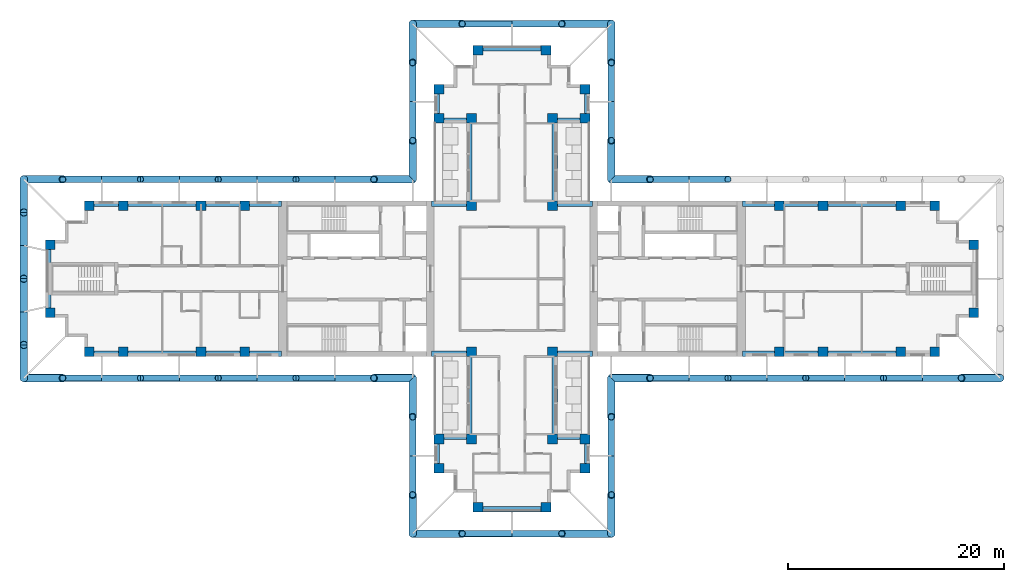
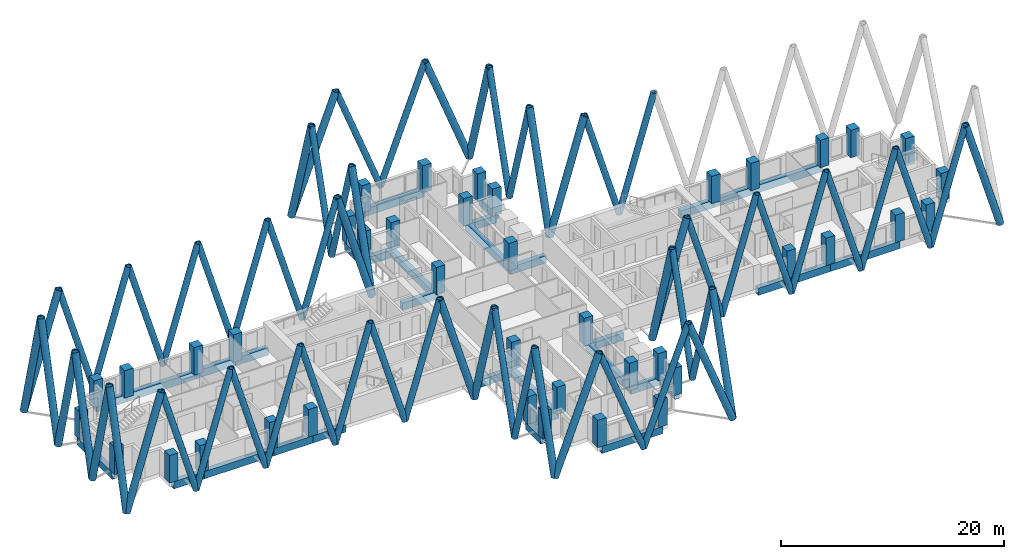
# One storey, part 1 of 12: 63 members, 40 columns, 33 beams.
"""IFC4 building model written with IfcOpenShell, lengths in metres."""

from ifc_helpers import new_model, si_unit, direction, frame, origin, origin_2d, place, context, subcontext, project, spatial, rectangle, hollow_circle, extrude, material, material_profile, profile_set, type_object, element, save


model = new_model("IFC4")

# Units and contexts
model_context = context("Model", 3, precision=1e-05, world=origin(), true_north=direction((0.0, 1.0)))
body_context = subcontext(model_context, "Body", "Model", "MODEL_VIEW")
ifc_project = project(units=[si_unit("LENGTHUNIT", "METRE"), si_unit("AREAUNIT", "SQUARE_METRE"), si_unit("VOLUMEUNIT", "CUBIC_METRE"), si_unit("PLANEANGLEUNIT", "RADIAN"), si_unit("MASSUNIT", "GRAM", prefix="KILO")], contexts=[model_context])

# Site, building, storey
site_placement = place(None, origin())
site = spatial("IfcSite", under=ifc_project, at=site_placement, CompositionType="ELEMENT")
building_placement = place(site_placement, origin())
building = spatial("IfcBuilding", under=site, at=building_placement, Name="Fustian Cross Tower", CompositionType="ELEMENT")
storey_placement = place(building_placement, frame((0.0, 0.0, 129.300048828125)))
storey = spatial("IfcBuildingStorey", under=building, at=storey_placement, Name="L40", CompositionType="ELEMENT", Elevation=129.300048828125)

# Columns
ifc_material_1 = material(Name="Concrete C50/60", Category="concrete")
ifc_material_profile_1 = material_profile(ifc_material_1, rectangle(XDim=0.89990234375, YDim=0.89990234375, at=origin_2d()), Name="RC 900x900")
ifc_profile_set_1 = profile_set([ifc_material_profile_1], Name="Concrete C50/60")
column_type = type_object("IfcColumnType", Name="COLUMN RC 900x900 C50/60", PredefinedType="COLUMN", material=ifc_profile_set_1)
for number, where, z_axis, x_axis, name in (
    (1, (-42.75, -3.14990234375, 0.0), (0.0, 0.0, 1.0), (1.0, 0.0, 0.0), "COLUMN 001"),
    (2, (-42.75, 3.14990234375, 0.0), (0.0, 0.0, 1.0), (1.0, 0.0, 0.0), "COLUMN 002"),
    (3, (-39.14990234375, -6.75, 0.0), (0.0, 0.0, 1.0), (1.0, 0.0, 0.0), "COLUMN 003"),
    (4, (-39.14990234375, 6.75, 0.0), (0.0, 0.0, 1.0), (1.0, 0.0, 0.0), "COLUMN 004"),
    (5, (-36.0, -6.75, 0.0), (0.0, 0.0, 1.0), (1.0, 0.0, 0.0), "COLUMN 005"),
    (6, (-36.0, 6.75, 0.0), (0.0, 0.0, 1.0), (1.0, 0.0, 0.0), "COLUMN 006"),
    (7, (-28.800048828125, -6.75, 0.0), (0.0, 0.0, 1.0), (1.0, 0.0, 0.0), "COLUMN 007"),
    (8, (-28.800048828125, 6.75, 0.0), (0.0, 0.0, 1.0), (1.0, 0.0, 0.0), "COLUMN 010"),
    (9, (-24.75, -6.75, 0.0), (0.0, 0.0, 1.0), (1.0, 0.0, 0.0), "COLUMN 011"),
    (10, (-24.75, 6.75, 0.0), (0.0, 0.0, 1.0), (1.0, 0.0, 0.0), "COLUMN 012"),
    (11, (-6.75, -17.550048828125, 0.0), (0.0, 0.0, 1.0), (1.0, 0.0, 0.0), "COLUMN 017"),
    (12, (-6.75, -14.85009765625, 0.0), (0.0, 0.0, 1.0), (1.0, 0.0, 0.0), "COLUMN 018"),
    (13, (-6.75, 14.85009765625, 0.0), (0.0, 0.0, 1.0), (1.0, 0.0, 0.0), "COLUMN 019"),
    (14, (-6.75, 17.550048828125, 0.0), (0.0, 0.0, 1.0), (1.0, 0.0, 0.0), "COLUMN 020"),
    (15, (-3.75, -14.85009765625, 0.0), (0.0, 0.0, 1.0), (1.0, 0.0, 0.0), "COLUMN 025"),
    (16, (-3.75, -6.75, 0.0), (0.0, 0.0, 1.0), (1.0, 0.0, 0.0), "COLUMN 026"),
    (17, (-3.75, 6.75, 0.0), (0.0, 0.0, 1.0), (1.0, 0.0, 0.0), "COLUMN 027"),
    (18, (-3.75, 14.85009765625, 0.0), (0.0, 0.0, 1.0), (1.0, 0.0, 0.0), "COLUMN 028"),
    (19, (-3.14990234375, -21.14990234375, 0.0), (0.0, 0.0, 1.0), (1.0, 0.0, 0.0), "COLUMN 030"),
    (20, (-3.14990234375, 21.14990234375, 0.0), (0.0, 0.0, 1.0), (1.0, 0.0, 0.0), "COLUMN 031"),
    (21, (3.14990234375, -21.14990234375, 0.0), (0.0, 0.0, 1.0), (1.0, 0.0, 0.0), "COLUMN 034"),
    (22, (3.14990234375, 21.14990234375, 0.0), (0.0, 0.0, 1.0), (1.0, 0.0, 0.0), "COLUMN 035"),
    (23, (3.75, -14.85009765625, 0.0), (0.0, 0.0, 1.0), (1.0, 0.0, 0.0), "COLUMN 037"),
    (24, (3.75, -6.75, 0.0), (0.0, 0.0, 1.0), (1.0, 0.0, 0.0), "COLUMN 038"),
    (25, (3.75, 6.75, 0.0), (0.0, 0.0, 1.0), (1.0, 0.0, 0.0), "COLUMN 039"),
    (26, (3.75, 14.85009765625, 0.0), (0.0, 0.0, 1.0), (1.0, 0.0, 0.0), "COLUMN 040"),
    (27, (6.75, -17.550048828125, 0.0), (0.0, 0.0, 1.0), (1.0, 0.0, 0.0), "COLUMN 045"),
    (28, (6.75, -14.85009765625, 0.0), (0.0, 0.0, 1.0), (1.0, 0.0, 0.0), "COLUMN 046"),
    (29, (6.75, 14.85009765625, 0.0), (0.0, 0.0, 1.0), (1.0, 0.0, 0.0), "COLUMN 047"),
    (30, (6.75, 17.550048828125, 0.0), (0.0, 0.0, 1.0), (1.0, 0.0, 0.0), "COLUMN 048"),
    (31, (24.75, -6.75, 0.0), (0.0, 0.0, 1.0), (1.0, 0.0, 0.0), "COLUMN 053"),
    (32, (24.75, 6.75, 0.0), (0.0, 0.0, 1.0), (1.0, 0.0, 0.0), "COLUMN 054"),
    (33, (28.800048828125, -6.75, 0.0), (0.0, 0.0, 1.0), (1.0, 0.0, 0.0), "COLUMN 055"),
    (34, (28.800048828125, 6.75, 0.0), (0.0, 0.0, 1.0), (1.0, 0.0, 0.0), "COLUMN 058"),
    (35, (36.0, -6.75, 0.0), (0.0, 0.0, 1.0), (1.0, 0.0, 0.0), "COLUMN 059"),
    (36, (36.0, 6.75, 0.0), (0.0, 0.0, 1.0), (1.0, 0.0, 0.0), "COLUMN 060"),
    (37, (39.14990234375, -6.75, 0.0), (0.0, 0.0, 1.0), (1.0, 0.0, 0.0), "COLUMN 061"),
    (38, (39.14990234375, 6.75, 0.0), (0.0, 0.0, 1.0), (1.0, 0.0, 0.0), "COLUMN 062"),
    (39, (42.75, -3.14990234375, 0.0), (0.0, 0.0, 1.0), (1.0, 0.0, 0.0), "COLUMN 063"),
    (40, (42.75, 3.14990234375, 0.0), (0.0, 0.0, 1.0), (1.0, 0.0, 0.0), "COLUMN 064"),
):
    element("IfcColumn", number, at=place(storey_placement, frame(where, z_axis=z_axis, x_axis=x_axis)), inside=storey, type_object=column_type, Name=name, PredefinedType="COLUMN", context=body_context, shape_type="SweptSolid", body=[
        extrude(rectangle(XDim=0.89990234375, YDim=0.89990234375, at=origin_2d()), origin(), (0.0, 0.0, 1.0), 3.0),
    ])

# Members
ifc_material_2 = material(Name="Steel S355", Category="steel")
ifc_material_profile_2 = material_profile(ifc_material_2, hollow_circle(Radius=0.3046875, WallThickness=0.02490234375, at=origin_2d()), Name="CHS 610x25")
ifc_profile_set_2 = profile_set([ifc_material_profile_2], Name="Steel S355")
member_type_1 = type_object("IfcMemberType", Name="DIAGRID DIAGONAL CHS 610x25", PredefinedType="BRACE", material=ifc_profile_set_2)
for number, where, z_axis, x_axis, name in (
    (41, (16.39990234375, -9.199951171875, 0.0), (-0.287337158709, 0.0, 0.957829503213), (0.0, -1.0, 0.0), "Diagrid diagonal E-S 02"),
    (42, (16.39990234375, -9.199951171875, 0.0), (0.287355036744, 0.0, 0.957824139839), (0.0, 1.0, 0.0), "Diagrid diagonal E-S 03"),
    (43, (23.60009765625, -9.199951171875, 0.0), (-0.287355036744, 0.0, 0.957824139839), (0.0, -1.0, 0.0), "Diagrid diagonal E-S 04"),
    (44, (23.60009765625, -9.199951171875, 0.0), (0.287337158709, 0.0, 0.957829503213), (0.0, 1.0, 0.0), "Diagrid diagonal E-S 05"),
    (45, (30.800048828125, -9.199951171875, 0.0), (-0.287355036744, 0.0, 0.957824139839), (0.0, -1.0, 0.0), "Diagrid diagonal E-S 06"),
    (46, (30.800048828125, -9.199951171875, 0.0), (0.287337158709, 0.0, 0.957829503213), (0.0, 1.0, 0.0), "Diagrid diagonal E-S 07"),
    (47, (38.0, -9.199951171875, 0.0), (-0.287355036744, 0.0, 0.957824139839), (0.0, -1.0, 0.0), "Diagrid diagonal E-S 08"),
    (48, (38.0, -9.199951171875, 0.0), (0.287355036744, 0.0, 0.957824139839), (0.0, 1.0, 0.0), "Diagrid diagonal E-S 09"),
    (49, (16.39990234375, 9.199951171875, 0.0), (0.287355036744, 0.0, 0.957824139839), (0.0, 1.0, 0.0), "Diagrid diagonal E-N 08"),
    (50, (16.39990234375, 9.199951171875, 0.0), (-0.287337158709, 0.0, 0.957829503213), (0.0, -1.0, 0.0), "Diagrid diagonal E-N 09"),
    (51, (9.199951171875, 16.39990234375, 0.0), (0.0, -0.287337158709, 0.957829503213), (1.0, 0.0, 0.0), "Diagrid diagonal N-E 02"),
    (52, (9.199951171875, 16.39990234375, 0.0), (0.0, 0.287355036744, 0.957824139839), (-1.0, 0.0, 0.0), "Diagrid diagonal N-E 03"),
):
    element("IfcMember", number, at=place(storey_placement, frame(where, z_axis=z_axis, x_axis=x_axis)), inside=storey, type_object=member_type_1, Name=name, PredefinedType="BRACE", context=body_context, shape_type="SweptSolid", body=[
        extrude(hollow_circle(Radius=0.3046875, WallThickness=0.02490234375, at=origin_2d()), origin(), (0.0, 0.0, 1.0), 12.5283203125),
    ])
for number, where, z_axis, x_axis, name in (
    (53, (0.0, 23.60009765625, 0.0), (0.3579426369, 0.0, 0.933743577589), (0.0, 1.0, 0.0), "Diagrid diagonal N-end 02"),
    (54, (0.0, 23.60009765625, 0.0), (-0.3579426369, 0.0, 0.933743577589), (0.0, -1.0, 0.0), "Diagrid diagonal N-end 03"),
):
    element("IfcMember", number, at=place(storey_placement, frame(where, z_axis=z_axis, x_axis=x_axis)), inside=storey, type_object=member_type_1, Name=name, PredefinedType="BRACE", context=body_context, shape_type="SweptSolid", body=[
        extrude(hollow_circle(Radius=0.3046875, WallThickness=0.02490234375, at=origin_2d()), origin(), (0.0, 0.0, 1.0), 12.8515625),
    ])
for number, where, z_axis, x_axis, name in (
    (55, (-9.199951171875, 16.39990234375, 0.0), (0.0, 0.287355036744, 0.957824139839), (-1.0, 0.0, 0.0), "Diagrid diagonal N-W 02"),
    (56, (-9.199951171875, 16.39990234375, 0.0), (0.0, -0.287337158709, 0.957829503213), (1.0, 0.0, 0.0), "Diagrid diagonal N-W 03"),
    (57, (-16.39990234375, 9.199951171875, 0.0), (0.287337158709, 0.0, 0.957829503213), (0.0, 1.0, 0.0), "Diagrid diagonal W-N 02"),
    (58, (-16.39990234375, 9.199951171875, 0.0), (-0.287355036744, 0.0, 0.957824139839), (0.0, -1.0, 0.0), "Diagrid diagonal W-N 03"),
    (59, (-23.60009765625, 9.199951171875, 0.0), (0.287355036744, 0.0, 0.957824139839), (0.0, 1.0, 0.0), "Diagrid diagonal W-N 04"),
    (60, (-23.60009765625, 9.199951171875, 0.0), (-0.287337158709, 0.0, 0.957829503213), (0.0, -1.0, 0.0), "Diagrid diagonal W-N 05"),
    (61, (-30.800048828125, 9.199951171875, 0.0), (0.287355036744, 0.0, 0.957824139839), (0.0, 1.0, 0.0), "Diagrid diagonal W-N 06"),
    (62, (-30.800048828125, 9.199951171875, 0.0), (-0.287337158709, 0.0, 0.957829503213), (0.0, -1.0, 0.0), "Diagrid diagonal W-N 07"),
    (63, (-38.0, 9.199951171875, 0.0), (0.287355036744, 0.0, 0.957824139839), (0.0, 1.0, 0.0), "Diagrid diagonal W-N 08"),
    (64, (-38.0, 9.199951171875, 0.0), (-0.287355036744, 0.0, 0.957824139839), (0.0, -1.0, 0.0), "Diagrid diagonal W-N 09"),
    (65, (-38.0, -9.199951171875, 0.0), (-0.287355036744, 0.0, 0.957824139839), (0.0, -1.0, 0.0), "Diagrid diagonal W-S 02"),
    (66, (-38.0, -9.199951171875, 0.0), (0.287355036744, 0.0, 0.957824139839), (0.0, 1.0, 0.0), "Diagrid diagonal W-S 03"),
    (67, (-30.800048828125, -9.199951171875, 0.0), (-0.287337158709, 0.0, 0.957829503213), (0.0, -1.0, 0.0), "Diagrid diagonal W-S 04"),
    (68, (-30.800048828125, -9.199951171875, 0.0), (0.287355036744, 0.0, 0.957824139839), (0.0, 1.0, 0.0), "Diagrid diagonal W-S 05"),
    (69, (-23.60009765625, -9.199951171875, 0.0), (-0.287337158709, 0.0, 0.957829503213), (0.0, -1.0, 0.0), "Diagrid diagonal W-S 06"),
    (70, (-23.60009765625, -9.199951171875, 0.0), (0.287355036744, 0.0, 0.957824139839), (0.0, 1.0, 0.0), "Diagrid diagonal W-S 07"),
    (71, (-16.39990234375, -9.199951171875, 0.0), (-0.287355036744, 0.0, 0.957824139839), (0.0, -1.0, 0.0), "Diagrid diagonal W-S 08"),
    (72, (-16.39990234375, -9.199951171875, 0.0), (0.287337158709, 0.0, 0.957829503213), (0.0, 1.0, 0.0), "Diagrid diagonal W-S 09"),
    (73, (-9.199951171875, -16.39990234375, 0.0), (0.0, 0.287337158709, 0.957829503213), (-1.0, 0.0, 0.0), "Diagrid diagonal S-W 02"),
    (74, (-9.199951171875, -16.39990234375, 0.0), (0.0, -0.287355036744, 0.957824139839), (1.0, 0.0, 0.0), "Diagrid diagonal S-W 03"),
):
    element("IfcMember", number, at=place(storey_placement, frame(where, z_axis=z_axis, x_axis=x_axis)), inside=storey, type_object=member_type_1, Name=name, PredefinedType="BRACE", context=body_context, shape_type="SweptSolid", body=[
        extrude(hollow_circle(Radius=0.3046875, WallThickness=0.02490234375, at=origin_2d()), origin(), (0.0, 0.0, 1.0), 12.5283203125),
    ])
for number, where, z_axis, x_axis, name in (
    (75, (0.0, -23.60009765625, 0.0), (-0.3579426369, 0.0, 0.933743577589), (0.0, -1.0, 0.0), "Diagrid diagonal S-end 02"),
    (76, (0.0, -23.60009765625, 0.0), (0.3579426369, 0.0, 0.933743577589), (0.0, 1.0, 0.0), "Diagrid diagonal S-end 03"),
):
    element("IfcMember", number, at=place(storey_placement, frame(where, z_axis=z_axis, x_axis=x_axis)), inside=storey, type_object=member_type_1, Name=name, PredefinedType="BRACE", context=body_context, shape_type="SweptSolid", body=[
        extrude(hollow_circle(Radius=0.3046875, WallThickness=0.02490234375, at=origin_2d()), origin(), (0.0, 0.0, 1.0), 12.8515625),
    ])
for number, where, z_axis, x_axis, name in (
    (77, (9.199951171875, -16.39990234375, 0.0), (0.0, -0.287355036744, 0.957824139839), (1.0, 0.0, 0.0), "Diagrid diagonal S-E 02"),
    (78, (9.199951171875, -16.39990234375, 0.0), (0.0, 0.287337158709, 0.957829503213), (-1.0, 0.0, 0.0), "Diagrid diagonal S-E 03"),
):
    element("IfcMember", number, at=place(storey_placement, frame(where, z_axis=z_axis, x_axis=x_axis)), inside=storey, type_object=member_type_1, Name=name, PredefinedType="BRACE", context=body_context, shape_type="SweptSolid", body=[
        extrude(hollow_circle(Radius=0.3046875, WallThickness=0.02490234375, at=origin_2d()), origin(), (0.0, 0.0, 1.0), 12.5283203125),
    ])
ifc_material_3 = material(Name="Steel S355", Category="steel")
ifc_material_profile_3 = material_profile(ifc_material_3, hollow_circle(Radius=0.355712890625, WallThickness=0.031982421875, at=origin_2d()), Name="CHS 711x32")
ifc_profile_set_3 = profile_set([ifc_material_profile_3], Name="Steel S355")
member_type_2 = type_object("IfcMemberType", Name="DIAGRID DIAGONAL CHS 711x32", PredefinedType="BRACE", material=ifc_profile_set_3)
for number, where, z_axis, x_axis, name in (
    (79, (9.199951171875, -9.199951171875, 0.0), (0.287355036744, 0.0, 0.957824139839), (0.0, 1.0, 0.0), "Diagrid diagonal E-S 01"),
    (80, (45.199951171875, -9.199951171875, 0.0), (-0.287337158709, 0.0, 0.957829503213), (0.0, -1.0, 0.0), "Diagrid diagonal E-S 10"),
    (81, (9.199951171875, 9.199951171875, 0.0), (0.287355036744, 0.0, 0.957824139839), (0.0, 1.0, 0.0), "Diagrid diagonal E-N 10"),
    (82, (9.199951171875, 9.199951171875, 0.0), (0.0, 0.287355036744, 0.957824139839), (-1.0, 0.0, 0.0), "Diagrid diagonal N-E 01"),
    (83, (9.199951171875, 23.60009765625, 0.0), (0.0, -0.287355036744, 0.957824139839), (1.0, 0.0, 0.0), "Diagrid diagonal N-E 04"),
):
    element("IfcMember", number, at=place(storey_placement, frame(where, z_axis=z_axis, x_axis=x_axis)), inside=storey, type_object=member_type_2, Name=name, PredefinedType="BRACE", context=body_context, shape_type="SweptSolid", body=[
        extrude(hollow_circle(Radius=0.355712890625, WallThickness=0.031982421875, at=origin_2d()), origin(), (0.0, 0.0, 1.0), 12.5283203125),
    ])
for number, where, z_axis, x_axis, name in (
    (84, (9.199951171875, 23.60009765625, 0.0), (-0.357926073629, 0.0, 0.933749926809), (0.0, -1.0, 0.0), "Diagrid diagonal N-end 01"),
    (85, (-9.199951171875, 23.60009765625, 0.0), (0.357926073629, 0.0, 0.933749926809), (0.0, 1.0, 0.0), "Diagrid diagonal N-end 04"),
):
    element("IfcMember", number, at=place(storey_placement, frame(where, z_axis=z_axis, x_axis=x_axis)), inside=storey, type_object=member_type_2, Name=name, PredefinedType="BRACE", context=body_context, shape_type="SweptSolid", body=[
        extrude(hollow_circle(Radius=0.355712890625, WallThickness=0.031982421875, at=origin_2d()), origin(), (0.0, 0.0, 1.0), 12.851318359375),
    ])
for number, where, z_axis, x_axis, name in (
    (86, (-9.199951171875, 23.60009765625, 0.0), (0.0, -0.287355036744, 0.957824139839), (1.0, 0.0, 0.0), "Diagrid diagonal N-W 01"),
    (87, (-9.199951171875, 9.199951171875, 0.0), (0.0, 0.287355036744, 0.957824139839), (-1.0, 0.0, 0.0), "Diagrid diagonal N-W 04"),
    (88, (-9.199951171875, 9.199951171875, 0.0), (-0.287355036744, 0.0, 0.957824139839), (0.0, -1.0, 0.0), "Diagrid diagonal W-N 01"),
    (89, (-45.199951171875, 9.199951171875, 0.0), (0.287337158709, 0.0, 0.957829503213), (0.0, 1.0, 0.0), "Diagrid diagonal W-N 10"),
):
    element("IfcMember", number, at=place(storey_placement, frame(where, z_axis=z_axis, x_axis=x_axis)), inside=storey, type_object=member_type_2, Name=name, PredefinedType="BRACE", context=body_context, shape_type="SweptSolid", body=[
        extrude(hollow_circle(Radius=0.355712890625, WallThickness=0.031982421875, at=origin_2d()), origin(), (0.0, 0.0, 1.0), 12.5283203125),
    ])
for number, where, z_axis, x_axis, name in (
    (90, (-45.199951171875, 9.199951171875, 0.0), (0.0, -0.247597033967, 0.96886310115), (1.0, 0.0, 0.0), "Diagrid diagonal W-end 01"),
    (91, (-45.199951171875, 3.066650390625, 0.0), (0.0, 0.247597033967, 0.96886310115), (-1.0, 0.0, 0.0), "Diagrid diagonal W-end 02"),
    (92, (-45.199951171875, 3.066650390625, 0.0), (0.0, -0.247597033967, 0.96886310115), (1.0, 0.0, 0.0), "Diagrid diagonal W-end 03"),
    (93, (-45.199951171875, -3.066650390625, 0.0), (0.0, 0.247597033967, 0.96886310115), (-1.0, 0.0, 0.0), "Diagrid diagonal W-end 04"),
    (94, (-45.199951171875, -3.066650390625, 0.0), (0.0, -0.247597033967, 0.96886310115), (1.0, 0.0, 0.0), "Diagrid diagonal W-end 05"),
    (95, (-45.199951171875, -9.199951171875, 0.0), (0.0, 0.247597033967, 0.96886310115), (-1.0, 0.0, 0.0), "Diagrid diagonal W-end 06"),
):
    element("IfcMember", number, at=place(storey_placement, frame(where, z_axis=z_axis, x_axis=x_axis)), inside=storey, type_object=member_type_2, Name=name, PredefinedType="BRACE", context=body_context, shape_type="SweptSolid", body=[
        extrude(hollow_circle(Radius=0.355712890625, WallThickness=0.031982421875, at=origin_2d()), origin(), (0.0, 0.0, 1.0), 12.3857421875),
    ])
for number, where, z_axis, x_axis, name in (
    (96, (-45.199951171875, -9.199951171875, 0.0), (0.287337158709, 0.0, 0.957829503213), (0.0, 1.0, 0.0), "Diagrid diagonal W-S 01"),
    (97, (-9.199951171875, -9.199951171875, 0.0), (-0.287355036744, 0.0, 0.957824139839), (0.0, -1.0, 0.0), "Diagrid diagonal W-S 10"),
    (98, (-9.199951171875, -9.199951171875, 0.0), (0.0, -0.287355036744, 0.957824139839), (1.0, 0.0, 0.0), "Diagrid diagonal S-W 01"),
    (99, (-9.199951171875, -23.60009765625, 0.0), (0.0, 0.287355036744, 0.957824139839), (-1.0, 0.0, 0.0), "Diagrid diagonal S-W 04"),
):
    element("IfcMember", number, at=place(storey_placement, frame(where, z_axis=z_axis, x_axis=x_axis)), inside=storey, type_object=member_type_2, Name=name, PredefinedType="BRACE", context=body_context, shape_type="SweptSolid", body=[
        extrude(hollow_circle(Radius=0.355712890625, WallThickness=0.031982421875, at=origin_2d()), origin(), (0.0, 0.0, 1.0), 12.5283203125),
    ])
for number, where, z_axis, x_axis, name in (
    (100, (-9.199951171875, -23.60009765625, 0.0), (0.357926073629, 0.0, 0.933749926809), (0.0, 1.0, 0.0), "Diagrid diagonal S-end 01"),
    (101, (9.199951171875, -23.60009765625, 0.0), (-0.357926073629, 0.0, 0.933749926809), (0.0, -1.0, 0.0), "Diagrid diagonal S-end 04"),
):
    element("IfcMember", number, at=place(storey_placement, frame(where, z_axis=z_axis, x_axis=x_axis)), inside=storey, type_object=member_type_2, Name=name, PredefinedType="BRACE", context=body_context, shape_type="SweptSolid", body=[
        extrude(hollow_circle(Radius=0.355712890625, WallThickness=0.031982421875, at=origin_2d()), origin(), (0.0, 0.0, 1.0), 12.851318359375),
    ])
for number, where, z_axis, x_axis, name in (
    (102, (9.199951171875, -23.60009765625, 0.0), (0.0, 0.287355036744, 0.957824139839), (-1.0, 0.0, 0.0), "Diagrid diagonal S-E 01"),
    (103, (9.199951171875, -9.199951171875, 0.0), (0.0, -0.287355036744, 0.957824139839), (1.0, 0.0, 0.0), "Diagrid diagonal S-E 04"),
):
    element("IfcMember", number, at=place(storey_placement, frame(where, z_axis=z_axis, x_axis=x_axis)), inside=storey, type_object=member_type_2, Name=name, PredefinedType="BRACE", context=body_context, shape_type="SweptSolid", body=[
        extrude(hollow_circle(Radius=0.355712890625, WallThickness=0.031982421875, at=origin_2d()), origin(), (0.0, 0.0, 1.0), 12.5283203125),
    ])

# Beams
ifc_material_4 = material(Name="Concrete C50/60", Category="concrete")
ifc_material_profile_4 = material_profile(ifc_material_4, rectangle(XDim=0.5, YDim=0.800048828125, at=origin_2d()), Name="RC 500x800")
ifc_profile_set_4 = profile_set([ifc_material_profile_4], Name="Concrete C50/60")
beam_type = type_object("IfcBeamType", Name="EDGE BEAM RC 500x800 C50/60", PredefinedType="SPANDREL", material=ifc_profile_set_4)
beam_1_placement = place(storey_placement, frame((21.35009765625, -6.949951171875, -0.400146484375), z_axis=(1.0, 0.0, 0.0), x_axis=(0.0, 1.0, 0.0)))
element("IfcBeam", 104, at=beam_1_placement, inside=storey, type_object=beam_type, Name="EDGE BEAM L40-01", PredefinedType="SPANDREL", context=body_context, shape_type="SweptSolid", body=[
    extrude(rectangle(XDim=0.5, YDim=0.800048828125, at=origin_2d()), origin(), (0.0, 0.0, 1.0), 3.39990234375),
])
beam_2_placement = place(storey_placement, frame((24.75, -6.949951171875, -0.400146484375), z_axis=(1.0, 0.0, 0.0), x_axis=(0.0, 1.0, 0.0)))
element("IfcBeam", 105, at=beam_2_placement, inside=storey, type_object=beam_type, Name="EDGE BEAM L40-02", PredefinedType="SPANDREL", context=body_context, shape_type="SweptSolid", body=[
    extrude(rectangle(XDim=0.5, YDim=0.800048828125, at=origin_2d()), origin(), (0.0, 0.0, 1.0), 4.050048828125),
])
for number, where, z_axis, x_axis, name in (
    (106, (28.800048828125, -6.949951171875, -0.400146484375), (1.0, 0.0, 0.0), (0.0, 1.0, 0.0), "EDGE BEAM L40-03"),
    (107, (36.0, 6.949951171875, -0.400146484375), (-1.0, 0.0, 0.0), (0.0, -1.0, 0.0), "EDGE BEAM L40-07"),
):
    element("IfcBeam", number, at=place(storey_placement, frame(where, z_axis=z_axis, x_axis=x_axis)), inside=storey, type_object=beam_type, Name=name, PredefinedType="SPANDREL", context=body_context, shape_type="SweptSolid", body=[
        extrude(rectangle(XDim=0.5, YDim=0.800048828125, at=origin_2d()), origin(), (0.0, 0.0, 1.0), 7.199951171875),
    ])
beam_3_placement = place(storey_placement, frame((28.800048828125, 6.949951171875, -0.400146484375), z_axis=(-1.0, 0.0, 0.0), x_axis=(0.0, -1.0, 0.0)))
element("IfcBeam", 108, at=beam_3_placement, inside=storey, type_object=beam_type, Name="EDGE BEAM L40-08", PredefinedType="SPANDREL", context=body_context, shape_type="SweptSolid", body=[
    extrude(rectangle(XDim=0.5, YDim=0.800048828125, at=origin_2d()), origin(), (0.0, 0.0, 1.0), 4.050048828125),
])
beam_4_placement = place(storey_placement, frame((24.75, 6.949951171875, -0.400146484375), z_axis=(-1.0, 0.0, 0.0), x_axis=(0.0, -1.0, 0.0)))
element("IfcBeam", 109, at=beam_4_placement, inside=storey, type_object=beam_type, Name="EDGE BEAM L40-09", PredefinedType="SPANDREL", context=body_context, shape_type="SweptSolid", body=[
    extrude(rectangle(XDim=0.5, YDim=0.800048828125, at=origin_2d()), origin(), (0.0, 0.0, 1.0), 3.39990234375),
])
beam_5_placement = place(storey_placement, frame((7.449951171875, 6.949951171875, -0.400146484375), z_axis=(-1.0, 0.0, 0.0), x_axis=(0.0, -1.0, 0.0)))
element("IfcBeam", 110, at=beam_5_placement, inside=storey, type_object=beam_type, Name="EDGE BEAM L40-10", PredefinedType="SPANDREL", context=body_context, shape_type="SweptSolid", body=[
    extrude(rectangle(XDim=0.5, YDim=0.800048828125, at=origin_2d()), origin(), (0.0, 0.0, 1.0), 3.699951171875),
])
beam_6_placement = place(storey_placement, frame((3.949951171875, 6.75, -0.400146484375), z_axis=(0.0, 1.0, 0.0), x_axis=(-1.0, 0.0, 0.0)))
element("IfcBeam", 111, at=beam_6_placement, inside=storey, type_object=beam_type, Name="EDGE BEAM L40-11", PredefinedType="SPANDREL", context=body_context, shape_type="SweptSolid", body=[
    extrude(rectangle(XDim=0.5, YDim=0.800048828125, at=origin_2d()), origin(), (0.0, 0.0, 1.0), 8.10009765625),
])
beam_7_placement = place(storey_placement, frame((3.75, 14.64990234375, -0.400146484375), z_axis=(1.0, 0.0, 0.0), x_axis=(0.0, 1.0, 0.0)))
element("IfcBeam", 112, at=beam_7_placement, inside=storey, type_object=beam_type, Name="EDGE BEAM L40-12", PredefinedType="SPANDREL", context=body_context, shape_type="SweptSolid", body=[
    extrude(rectangle(XDim=0.5, YDim=0.800048828125, at=origin_2d()), origin(), (0.0, 0.0, 1.0), 3.0),
])
beam_8_placement = place(storey_placement, frame((6.949951171875, 14.85009765625, -0.400146484375), z_axis=(0.0, 1.0, 0.0), x_axis=(-1.0, 0.0, 0.0)))
element("IfcBeam", 113, at=beam_8_placement, inside=storey, type_object=beam_type, Name="EDGE BEAM L40-13", PredefinedType="SPANDREL", context=body_context, shape_type="SweptSolid", body=[
    extrude(rectangle(XDim=0.5, YDim=0.800048828125, at=origin_2d()), origin(), (0.0, 0.0, 1.0), 2.699951171875),
])
beam_9_placement = place(storey_placement, frame((3.14990234375, 21.35009765625, -0.400146484375), z_axis=(-1.0, 0.0, 0.0), x_axis=(0.0, -1.0, 0.0)))
element("IfcBeam", 114, at=beam_9_placement, inside=storey, type_object=beam_type, Name="EDGE BEAM L40-14", PredefinedType="SPANDREL", context=body_context, shape_type="SweptSolid", body=[
    extrude(rectangle(XDim=0.5, YDim=0.800048828125, at=origin_2d()), origin(), (0.0, 0.0, 1.0), 6.2998046875),
])
beam_10_placement = place(storey_placement, frame((-6.949951171875, 17.550048828125, -0.400146484375), z_axis=(0.0, -1.0, 0.0), x_axis=(1.0, 0.0, 0.0)))
element("IfcBeam", 115, at=beam_10_placement, inside=storey, type_object=beam_type, Name="EDGE BEAM L40-15", PredefinedType="SPANDREL", context=body_context, shape_type="SweptSolid", body=[
    extrude(rectangle(XDim=0.5, YDim=0.800048828125, at=origin_2d()), origin(), (0.0, 0.0, 1.0), 2.699951171875),
])
beam_11_placement = place(storey_placement, frame((-6.75, 14.64990234375, -0.400146484375), z_axis=(1.0, 0.0, 0.0), x_axis=(0.0, 1.0, 0.0)))
element("IfcBeam", 116, at=beam_11_placement, inside=storey, type_object=beam_type, Name="EDGE BEAM L40-16", PredefinedType="SPANDREL", context=body_context, shape_type="SweptSolid", body=[
    extrude(rectangle(XDim=0.5, YDim=0.800048828125, at=origin_2d()), origin(), (0.0, 0.0, 1.0), 3.0),
])
beam_12_placement = place(storey_placement, frame((-3.949951171875, 14.85009765625, -0.400146484375), z_axis=(0.0, -1.0, 0.0), x_axis=(1.0, 0.0, 0.0)))
element("IfcBeam", 117, at=beam_12_placement, inside=storey, type_object=beam_type, Name="EDGE BEAM L40-17", PredefinedType="SPANDREL", context=body_context, shape_type="SweptSolid", body=[
    extrude(rectangle(XDim=0.5, YDim=0.800048828125, at=origin_2d()), origin(), (0.0, 0.0, 1.0), 8.10009765625),
])
beam_13_placement = place(storey_placement, frame((-3.75, 6.949951171875, -0.400146484375), z_axis=(-1.0, 0.0, 0.0), x_axis=(0.0, -1.0, 0.0)))
element("IfcBeam", 118, at=beam_13_placement, inside=storey, type_object=beam_type, Name="EDGE BEAM L40-18", PredefinedType="SPANDREL", context=body_context, shape_type="SweptSolid", body=[
    extrude(rectangle(XDim=0.5, YDim=0.800048828125, at=origin_2d()), origin(), (0.0, 0.0, 1.0), 3.699951171875),
])
beam_14_placement = place(storey_placement, frame((-21.35009765625, 6.949951171875, -0.400146484375), z_axis=(-1.0, 0.0, 0.0), x_axis=(0.0, -1.0, 0.0)))
element("IfcBeam", 119, at=beam_14_placement, inside=storey, type_object=beam_type, Name="EDGE BEAM L40-19", PredefinedType="SPANDREL", context=body_context, shape_type="SweptSolid", body=[
    extrude(rectangle(XDim=0.5, YDim=0.800048828125, at=origin_2d()), origin(), (0.0, 0.0, 1.0), 3.39990234375),
])
beam_15_placement = place(storey_placement, frame((-24.75, 6.949951171875, -0.400146484375), z_axis=(-1.0, 0.0, 0.0), x_axis=(0.0, -1.0, 0.0)))
element("IfcBeam", 120, at=beam_15_placement, inside=storey, type_object=beam_type, Name="EDGE BEAM L40-20", PredefinedType="SPANDREL", context=body_context, shape_type="SweptSolid", body=[
    extrude(rectangle(XDim=0.5, YDim=0.800048828125, at=origin_2d()), origin(), (0.0, 0.0, 1.0), 4.050048828125),
])
beam_16_placement = place(storey_placement, frame((-28.800048828125, 6.949951171875, -0.400146484375), z_axis=(-1.0, 0.0, 0.0), x_axis=(0.0, -1.0, 0.0)))
element("IfcBeam", 121, at=beam_16_placement, inside=storey, type_object=beam_type, Name="EDGE BEAM L40-21", PredefinedType="SPANDREL", context=body_context, shape_type="SweptSolid", body=[
    extrude(rectangle(XDim=0.5, YDim=0.800048828125, at=origin_2d()), origin(), (0.0, 0.0, 1.0), 7.199951171875),
])
beam_17_placement = place(storey_placement, frame((-36.0, 6.949951171875, -0.400146484375), z_axis=(-1.0, 0.0, 0.0), x_axis=(0.0, -1.0, 0.0)))
element("IfcBeam", 122, at=beam_17_placement, inside=storey, type_object=beam_type, Name="EDGE BEAM L40-22", PredefinedType="SPANDREL", context=body_context, shape_type="SweptSolid", body=[
    extrude(rectangle(XDim=0.5, YDim=0.800048828125, at=origin_2d()), origin(), (0.0, 0.0, 1.0), 3.14990234375),
])
beam_18_placement = place(storey_placement, frame((-42.949951171875, 3.14990234375, -0.400146484375), z_axis=(0.0, -1.0, 0.0), x_axis=(1.0, 0.0, 0.0)))
element("IfcBeam", 123, at=beam_18_placement, inside=storey, type_object=beam_type, Name="EDGE BEAM L40-23", PredefinedType="SPANDREL", context=body_context, shape_type="SweptSolid", body=[
    extrude(rectangle(XDim=0.5, YDim=0.800048828125, at=origin_2d()), origin(), (0.0, 0.0, 1.0), 6.2998046875),
])
beam_19_placement = place(storey_placement, frame((-39.14990234375, -6.949951171875, -0.400146484375), z_axis=(1.0, 0.0, 0.0), x_axis=(0.0, 1.0, 0.0)))
element("IfcBeam", 124, at=beam_19_placement, inside=storey, type_object=beam_type, Name="EDGE BEAM L40-24", PredefinedType="SPANDREL", context=body_context, shape_type="SweptSolid", body=[
    extrude(rectangle(XDim=0.5, YDim=0.800048828125, at=origin_2d()), origin(), (0.0, 0.0, 1.0), 3.14990234375),
])
beam_20_placement = place(storey_placement, frame((-36.0, -6.949951171875, -0.400146484375), z_axis=(1.0, 0.0, 0.0), x_axis=(0.0, 1.0, 0.0)))
element("IfcBeam", 125, at=beam_20_placement, inside=storey, type_object=beam_type, Name="EDGE BEAM L40-25", PredefinedType="SPANDREL", context=body_context, shape_type="SweptSolid", body=[
    extrude(rectangle(XDim=0.5, YDim=0.800048828125, at=origin_2d()), origin(), (0.0, 0.0, 1.0), 7.199951171875),
])
beam_21_placement = place(storey_placement, frame((-28.800048828125, -6.949951171875, -0.400146484375), z_axis=(1.0, 0.0, 0.0), x_axis=(0.0, 1.0, 0.0)))
element("IfcBeam", 126, at=beam_21_placement, inside=storey, type_object=beam_type, Name="EDGE BEAM L40-26", PredefinedType="SPANDREL", context=body_context, shape_type="SweptSolid", body=[
    extrude(rectangle(XDim=0.5, YDim=0.800048828125, at=origin_2d()), origin(), (0.0, 0.0, 1.0), 4.050048828125),
])
beam_22_placement = place(storey_placement, frame((-24.75, -6.949951171875, -0.400146484375), z_axis=(1.0, 0.0, 0.0), x_axis=(0.0, 1.0, 0.0)))
element("IfcBeam", 127, at=beam_22_placement, inside=storey, type_object=beam_type, Name="EDGE BEAM L40-27", PredefinedType="SPANDREL", context=body_context, shape_type="SweptSolid", body=[
    extrude(rectangle(XDim=0.5, YDim=0.800048828125, at=origin_2d()), origin(), (0.0, 0.0, 1.0), 3.39990234375),
])
beam_23_placement = place(storey_placement, frame((-7.449951171875, -6.949951171875, -0.400146484375), z_axis=(1.0, 0.0, 0.0), x_axis=(0.0, 1.0, 0.0)))
element("IfcBeam", 128, at=beam_23_placement, inside=storey, type_object=beam_type, Name="EDGE BEAM L40-28", PredefinedType="SPANDREL", context=body_context, shape_type="SweptSolid", body=[
    extrude(rectangle(XDim=0.5, YDim=0.800048828125, at=origin_2d()), origin(), (0.0, 0.0, 1.0), 3.699951171875),
])
beam_24_placement = place(storey_placement, frame((-3.949951171875, -6.75, -0.400146484375), z_axis=(0.0, -1.0, 0.0), x_axis=(1.0, 0.0, 0.0)))
element("IfcBeam", 129, at=beam_24_placement, inside=storey, type_object=beam_type, Name="EDGE BEAM L40-29", PredefinedType="SPANDREL", context=body_context, shape_type="SweptSolid", body=[
    extrude(rectangle(XDim=0.5, YDim=0.800048828125, at=origin_2d()), origin(), (0.0, 0.0, 1.0), 8.10009765625),
])
beam_25_placement = place(storey_placement, frame((-3.75, -14.64990234375, -0.400146484375), z_axis=(-1.0, 0.0, 0.0), x_axis=(0.0, -1.0, 0.0)))
element("IfcBeam", 130, at=beam_25_placement, inside=storey, type_object=beam_type, Name="EDGE BEAM L40-30", PredefinedType="SPANDREL", context=body_context, shape_type="SweptSolid", body=[
    extrude(rectangle(XDim=0.5, YDim=0.800048828125, at=origin_2d()), origin(), (0.0, 0.0, 1.0), 3.0),
])
beam_26_placement = place(storey_placement, frame((-6.949951171875, -14.85009765625, -0.400146484375), z_axis=(0.0, -1.0, 0.0), x_axis=(1.0, 0.0, 0.0)))
element("IfcBeam", 131, at=beam_26_placement, inside=storey, type_object=beam_type, Name="EDGE BEAM L40-31", PredefinedType="SPANDREL", context=body_context, shape_type="SweptSolid", body=[
    extrude(rectangle(XDim=0.5, YDim=0.800048828125, at=origin_2d()), origin(), (0.0, 0.0, 1.0), 2.699951171875),
])
beam_27_placement = place(storey_placement, frame((-3.14990234375, -21.35009765625, -0.400146484375), z_axis=(1.0, 0.0, 0.0), x_axis=(0.0, 1.0, 0.0)))
element("IfcBeam", 132, at=beam_27_placement, inside=storey, type_object=beam_type, Name="EDGE BEAM L40-32", PredefinedType="SPANDREL", context=body_context, shape_type="SweptSolid", body=[
    extrude(rectangle(XDim=0.5, YDim=0.800048828125, at=origin_2d()), origin(), (0.0, 0.0, 1.0), 6.2998046875),
])
beam_28_placement = place(storey_placement, frame((6.949951171875, -17.550048828125, -0.400146484375), z_axis=(0.0, 1.0, 0.0), x_axis=(-1.0, 0.0, 0.0)))
element("IfcBeam", 133, at=beam_28_placement, inside=storey, type_object=beam_type, Name="EDGE BEAM L40-33", PredefinedType="SPANDREL", context=body_context, shape_type="SweptSolid", body=[
    extrude(rectangle(XDim=0.5, YDim=0.800048828125, at=origin_2d()), origin(), (0.0, 0.0, 1.0), 2.699951171875),
])
beam_29_placement = place(storey_placement, frame((6.75, -14.64990234375, -0.400146484375), z_axis=(-1.0, 0.0, 0.0), x_axis=(0.0, -1.0, 0.0)))
element("IfcBeam", 134, at=beam_29_placement, inside=storey, type_object=beam_type, Name="EDGE BEAM L40-34", PredefinedType="SPANDREL", context=body_context, shape_type="SweptSolid", body=[
    extrude(rectangle(XDim=0.5, YDim=0.800048828125, at=origin_2d()), origin(), (0.0, 0.0, 1.0), 3.0),
])
beam_30_placement = place(storey_placement, frame((3.949951171875, -14.85009765625, -0.400146484375), z_axis=(0.0, 1.0, 0.0), x_axis=(-1.0, 0.0, 0.0)))
element("IfcBeam", 135, at=beam_30_placement, inside=storey, type_object=beam_type, Name="EDGE BEAM L40-35", PredefinedType="SPANDREL", context=body_context, shape_type="SweptSolid", body=[
    extrude(rectangle(XDim=0.5, YDim=0.800048828125, at=origin_2d()), origin(), (0.0, 0.0, 1.0), 8.10009765625),
])
beam_31_placement = place(storey_placement, frame((3.75, -6.949951171875, -0.400146484375), z_axis=(1.0, 0.0, 0.0), x_axis=(0.0, 1.0, 0.0)))
element("IfcBeam", 136, at=beam_31_placement, inside=storey, type_object=beam_type, Name="EDGE BEAM L40-36", PredefinedType="SPANDREL", context=body_context, shape_type="SweptSolid", body=[
    extrude(rectangle(XDim=0.5, YDim=0.800048828125, at=origin_2d()), origin(), (0.0, 0.0, 1.0), 3.699951171875),
])

save(model, "model.ifc")
